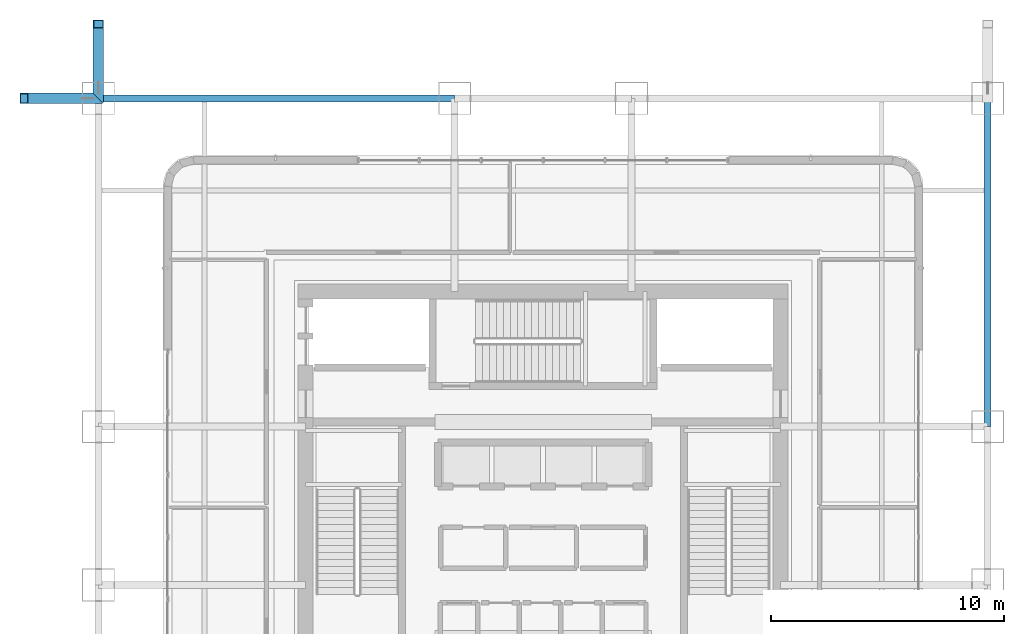
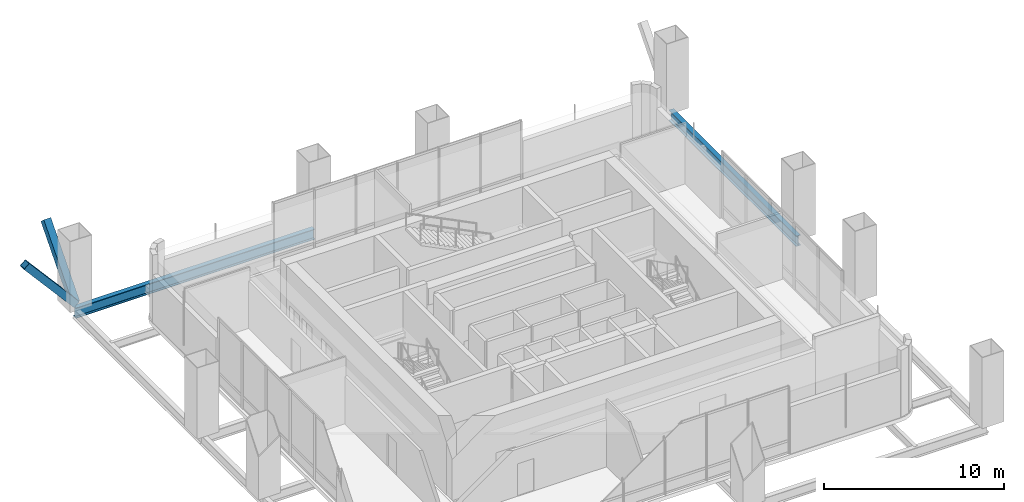
# One storey, part 13 of 30: 2 beams, 2 members.
"""IFC4 building model written with IfcOpenShell, lengths in metres."""

from ifc_helpers import new_model, si_unit, direction, frame, origin, origin_2d, place, context, subcontext, project, spatial, hollow_rectangle, i_section, extrude, material, material_profile, profile_set, type_object, element, save


model = new_model("IFC4")

# Units and contexts
model_context = context("Model", 3, precision=1e-05, world=origin(), true_north=direction((0.0, 1.0)))
body_context = subcontext(model_context, "Body", "Model", "MODEL_VIEW")
ifc_project = project(units=[si_unit("LENGTHUNIT", "METRE"), si_unit("AREAUNIT", "SQUARE_METRE"), si_unit("VOLUMEUNIT", "CUBIC_METRE"), si_unit("PLANEANGLEUNIT", "RADIAN"), si_unit("MASSUNIT", "GRAM", prefix="KILO")], contexts=[model_context])

# Site, building, storey
site_placement = place(None, origin())
site = spatial("IfcSite", under=ifc_project, at=site_placement, CompositionType="ELEMENT")
building_placement = place(site_placement, origin())
building = spatial("IfcBuilding", under=site, at=building_placement, Name="Punatoya Terracotta Tower", CompositionType="ELEMENT")
storey_placement = place(building_placement, frame((0.0, 0.0, 135.0)))
storey = spatial("IfcBuildingStorey", under=building, at=storey_placement, Name="L31", CompositionType="ELEMENT", Elevation=135.0)

# Beams
ifc_material_1 = material(Name="Steel S355", Category="steel")
ifc_material_profile_1 = material_profile(ifc_material_1, i_section(OverallWidth=0.300048828125, OverallDepth=0.699951171875, WebThickness=0.01708984375, FlangeThickness=0.031982421875, FilletRadius=0.01806640625, at=origin_2d()))
ifc_profile_set_1 = profile_set([ifc_material_profile_1], Name="Steel S355")
beam_type = type_object("IfcBeamType", Name="BM-PRI-700", PredefinedType="BEAM", material=ifc_profile_set_1)
beam_1_placement = place(storey_placement, frame((-19.10009765625, 17.5, -0.610107421875), z_axis=(1.0, 0.0, 0.0), x_axis=(0.0, 1.0, 0.0)))
element("IfcBeam", 1, at=beam_1_placement, inside=storey, type_object=beam_type, Name="BM-L31-RG-N1", PredefinedType="BEAM", context=body_context, shape_type="SweptSolid", body=[
    extrude(i_section(OverallWidth=0.300048828125, OverallDepth=0.699951171875, WebThickness=0.01708984375, FlangeThickness=0.031982421875, FilletRadius=0.01806640625, at=origin_2d()), origin(), (0.0, 0.0, 1.0), 15.300048828125),
])
beam_2_placement = place(storey_placement, frame((19.10009765625, 3.39990234375, -0.610107421875), z_axis=(0.0, 1.0, 0.0), x_axis=(-1.0, 0.0, 0.0)))
element("IfcBeam", 2, at=beam_2_placement, inside=storey, type_object=beam_type, Name="BM-L31-RG-E3", PredefinedType="BEAM", context=body_context, shape_type="SweptSolid", body=[
    extrude(i_section(OverallWidth=0.300048828125, OverallDepth=0.699951171875, WebThickness=0.01708984375, FlangeThickness=0.031982421875, FilletRadius=0.01806640625, at=origin_2d()), origin(), (0.0, 0.0, 1.0), 14.10009765625),
])

# Members
ifc_material_2 = material(Name="Steel S460", Category="steel")
ifc_material_profile_2 = material_profile(ifc_material_2, hollow_rectangle(XDim=0.449951171875, YDim=0.449951171875, WallThickness=0.02490234375, at=origin_2d()))
ifc_profile_set_2 = profile_set([ifc_material_profile_2], Name="Steel S460")
member_type = type_object("IfcMemberType", Name="MEM-STR-450", PredefinedType="STRUT", material=ifc_profile_set_2)
for number, where, z_axis, x_axis, name in (
    (3, (-19.10009765625, 17.5, 0.02001953125), (-0.654151161257, 0.0, 0.756363839845), (0.0, -1.0, 0.0), "L32 Cantilever Raking Knee-Strut W2"),
    (4, (-19.10009765625, 17.5, 0.02001953125), (0.0, 0.654151161257, 0.756363839845), (-1.0, 0.0, 0.0), "L32 Cantilever Raking Knee-Strut N1"),
):
    element("IfcMember", number, at=place(storey_placement, frame(where, z_axis=z_axis, x_axis=x_axis)), inside=storey, type_object=member_type, Name=name, PredefinedType="STRUT", context=body_context, shape_type="SweptSolid", body=[
        extrude(hollow_rectangle(XDim=0.449951171875, YDim=0.449951171875, WallThickness=0.02490234375, at=origin_2d()), origin(), (0.0, 0.0, 1.0), 4.891845703125),
    ])

save(model, "model.ifc")
